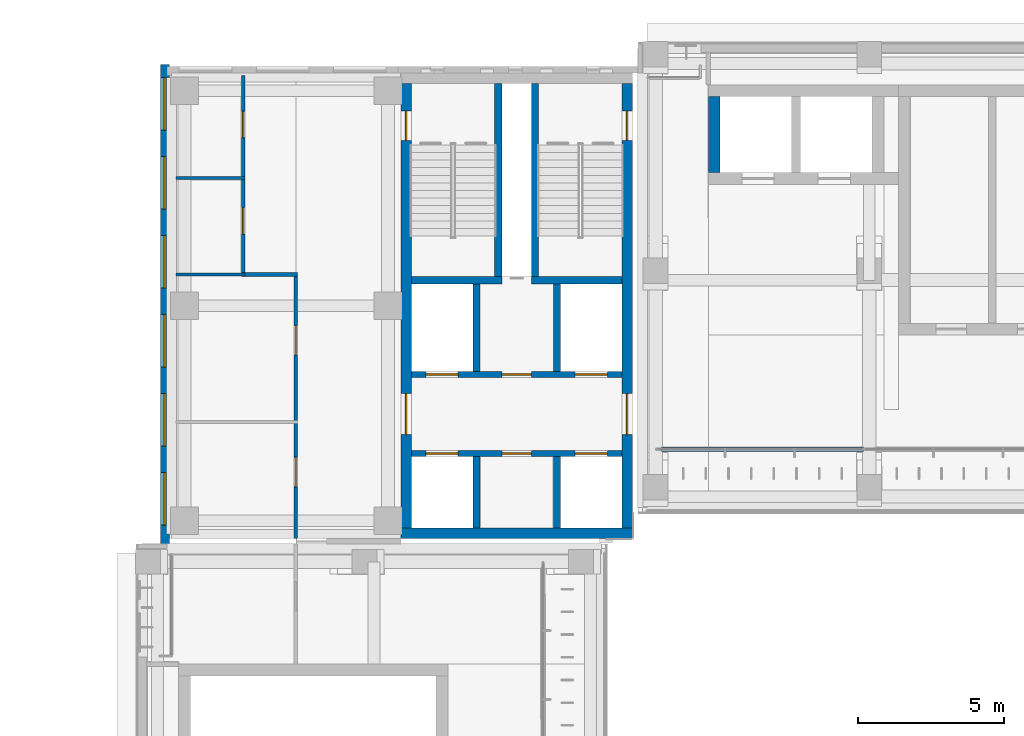
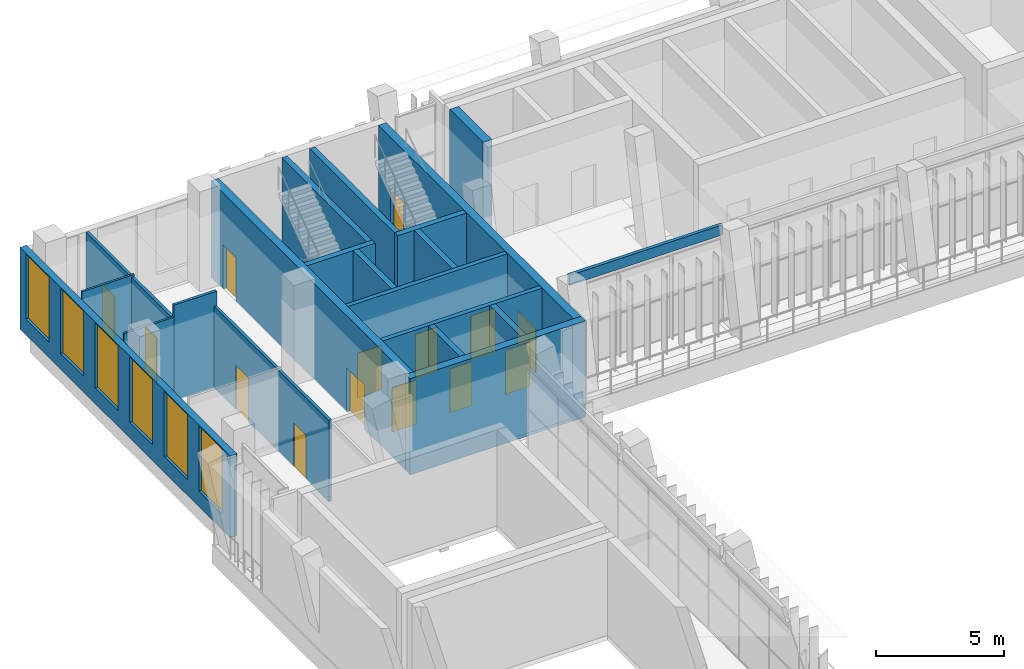
# One storey, part 65 of 92: 21 walls, 14 doors, 6 windows, 20 openings.
"""IFC4 building model written with IfcOpenShell, lengths in metres."""

import ifcopenshell
import ifcopenshell.guid

model = None  # the IFC model being written
_history = None  # IfcOwnerHistory: only IFC2X3 demands one
_inside = {}  # id of a spatial element -> (the spatial element, [elements in it])
_under = {}  # id of a project, library or spatial element -> (it, [spatial elements below it])
_declared = {}  # id of a project -> (the project, [libraries it declares])
_typed = {}  # id of a type object -> (the type object, [elements of that type])
_made_of = {}  # id of a material, layer set ... -> (it, [elements and type objects made of it])


def new_model(schema):
    """Start an empty IFC model of exactly this schema.

    Asked for "IFC4X3", IfcOpenShell would pick the latest addendum, in which some entities
    have other attributes; the version numbers below select the first issue.
    IFC2X3 requires an IfcOwnerHistory on every rooted entity: one is made here for all.
    """
    global model, _history
    if schema == "IFC4X3":
        model = ifcopenshell.file(schema_version=(4, 3, 0, 0))
    else:
        model = ifcopenshell.file(schema=schema)
    _inside.clear()
    _under.clear()
    _declared.clear()
    _typed.clear()
    _made_of.clear()
    _history = None
    if model.schema == "IFC2X3":
        org = make("IfcOrganization", Name="unknown")
        user = make(
            "IfcPersonAndOrganization",
            ThePerson=make("IfcPerson", FamilyName="unknown"),
            TheOrganization=org,
        )
        app = make(
            "IfcApplication",
            ApplicationDeveloper=org,
            Version="unknown",
            ApplicationFullName="unknown",
            ApplicationIdentifier="unknown",
        )
        _history = make(
            "IfcOwnerHistory",
            OwningUser=user,
            OwningApplication=app,
            ChangeAction="ADDED",
            CreationDate=0,
        )
    return model


def make(cls, **values):
    """One entity of the class cls with the attributes given. An attribute that is None is left unset."""
    return model.create_entity(
        cls, **{name: value for name, value in values.items() if value is not None}
    )


def rooted(cls, **values):
    """An entity with a GlobalId (a new one), such as an element, a storey or a relation."""
    return make(cls, GlobalId=ifcopenshell.guid.new(), OwnerHistory=_history, **values)


def si_unit(unit_type, name, prefix=None):
    """IfcSIUnit, for example si_unit("LENGTHUNIT", "METRE", prefix="MILLI")."""
    return make("IfcSIUnit", UnitType=unit_type, Prefix=prefix, Name=name)


def assignment(units):
    """IfcUnitAssignment: the units of a project."""
    return None if units is None else make("IfcUnitAssignment", Units=units)


def point(xyz):
    """IfcCartesianPoint."""
    return None if xyz is None else make("IfcCartesianPoint", Coordinates=xyz)


def direction(xyz):
    """IfcDirection."""
    return None if xyz is None else make("IfcDirection", DirectionRatios=xyz)


def frame(location, z_axis=None, x_axis=None):
    """IfcAxis2Placement3D, a coordinate frame: its origin and axes. An axis left out is left unset."""
    return make(
        "IfcAxis2Placement3D",
        Location=point(location),
        Axis=direction(z_axis),
        RefDirection=direction(x_axis),
    )


def frame_2d(location, x_axis=None):
    """IfcAxis2Placement2D, a coordinate frame in the plane: its origin and x axis."""
    return make(
        "IfcAxis2Placement2D", Location=point(location), RefDirection=direction(x_axis)
    )


def origin():
    """The frame at (0, 0, 0) with its axes left unset."""
    return frame((0.0, 0.0, 0.0))


def place(relative_to, where):
    """IfcLocalPlacement: puts the frame where relative to a parent placement (None: the world)."""
    return make(
        "IfcLocalPlacement", PlacementRelTo=relative_to, RelativePlacement=where
    )


def context(
    kind, dimensions, precision=None, world=None, true_north=None, identifier=None
):
    """IfcGeometricRepresentationContext, for example the 3D "Model" context."""
    return make(
        "IfcGeometricRepresentationContext",
        ContextIdentifier=identifier,
        ContextType=kind,
        CoordinateSpaceDimension=dimensions,
        Precision=precision,
        WorldCoordinateSystem=world,
        TrueNorth=true_north,
    )


def subcontext(parent, identifier, kind, view, scale=None):
    """IfcGeometricRepresentationSubContext, for example "Body" below "Model"."""
    return make(
        "IfcGeometricRepresentationSubContext",
        ContextIdentifier=identifier,
        ContextType=kind,
        ParentContext=parent,
        TargetScale=scale,
        TargetView=view,
    )


def project(units=None, contexts=None):
    """IfcProject with its units and contexts."""
    return rooted(
        "IfcProject",
        Name="project",
        RepresentationContexts=contexts,
        UnitsInContext=assignment(units),
    )


def spatial(cls, under=None, at=None, **own):
    """A site, building, storey or space (cls), placed at a placement, below another one or the project."""
    s = rooted(cls, ObjectPlacement=at, **own)
    if under is not None:
        _under.setdefault(under.id(), (under, []))[1].append(s)
    return s


def profile(cls, at=None, kind="AREA", **sizes):
    """A parametric profile (cls). Its sizes go by their IFC names, for example OverallWidth=200.0."""
    return make(cls, ProfileType=kind, Position=at, **sizes)


def rectangle(**sizes):
    """IfcRectangleProfileDef."""
    return profile("IfcRectangleProfileDef", **sizes)


def extrude(swept, where, along, depth):
    """IfcExtrudedAreaSolid: the profile swept, set in the frame where, extruded along a direction by depth."""
    return make(
        "IfcExtrudedAreaSolid",
        SweptArea=swept,
        Position=where,
        ExtrudedDirection=direction(along),
        Depth=depth,
    )


def shape(context_of_items, identifier, shape_type, items):
    """IfcShapeRepresentation: the items that make up one representation, for example the "Body"."""
    return make(
        "IfcShapeRepresentation",
        ContextOfItems=context_of_items,
        RepresentationIdentifier=identifier,
        RepresentationType=shape_type,
        Items=items,
    )


def material(Name=None, Category=None):
    """IfcMaterial."""
    return make("IfcMaterial", Name=Name, Category=Category)


def layer(
    of_material, thickness, ventilated=None, Name=None, Category=None, Priority=None
):
    """IfcMaterialLayer: one layer of a wall or slab, of a material (None: an air gap)."""
    return make(
        "IfcMaterialLayer",
        Material=of_material,
        LayerThickness=thickness,
        IsVentilated=ventilated,
        Name=Name,
        Category=Category,
        Priority=Priority,
    )


def layer_set(layers, Name=None):
    """IfcMaterialLayerSet."""
    return make("IfcMaterialLayerSet", MaterialLayers=layers, LayerSetName=Name)


def made_of(thing, what):
    """Note that an element or type object is made of a material, layer set ...; save() writes the relation."""
    if what is not None:
        _made_of.setdefault(what.id(), (what, []))[1].append(thing)
    return thing


def type_object(cls, material=None, **own):
    """A type object (cls), such as IfcWallType, which elements share."""
    return made_of(rooted(cls, **own), material)


def element(
    cls,
    number,
    at=None,
    inside=None,
    cuts=None,
    type_object=None,
    material=None,
    context=None,
    identifier="Body",
    shape_type=None,
    held_by="IfcProductDefinitionShape",
    body=None,
    shapes=None,
    **own,
):
    """One element of the class cls, such as IfcWall. Its Tag is "e" and its number.

    at: its placement. inside: the storey or other place that contains it. cuts: it is an
    opening in that element (IfcRelVoidsElement). A single representation is given by context,
    identifier, shape_type and body (its items); several are given by shapes. held_by: the class
    of the entity that holds the representations. save() writes the other relations.
    """
    e = rooted(cls, Tag="e%d" % number, ObjectPlacement=at, **own)
    if body is not None:
        shapes = [shape(context, identifier, shape_type, body)]
    if shapes is not None:
        e.Representation = make(held_by, Representations=shapes)
    if inside is not None:
        _inside.setdefault(inside.id(), (inside, []))[1].append(e)
    if cuts is not None:
        rooted(
            "IfcRelVoidsElement", RelatingBuildingElement=cuts, RelatedOpeningElement=e
        )
    if type_object is not None:
        _typed.setdefault(type_object.id(), (type_object, []))[1].append(e)
    return made_of(e, material)


def fill(opening, filler):
    """IfcRelFillsElement: the door or window that sits in an opening."""
    return rooted(
        "IfcRelFillsElement",
        RelatingOpeningElement=opening,
        RelatedBuildingElement=filler,
    )


def aggregate(whole, parts):
    """IfcRelAggregates: a whole, such as a stair, and the parts it consists of."""
    return rooted("IfcRelAggregates", RelatingObject=whole, RelatedObjects=parts)


def save(model, path):
    """Write the relations noted so far, then the file.

    IfcRelAggregates (storeys below a building ...), IfcRelContainedInSpatialStructure (elements
    in a storey), IfcRelDefinesByType, IfcRelAssociatesMaterial and IfcRelDeclares: one each for
    every whole, place, type object, material and project.
    """
    for whole, parts in _under.values():
        aggregate(whole, parts)
    for where, things in _inside.values():
        rooted(
            "IfcRelContainedInSpatialStructure",
            RelatedElements=things,
            RelatingStructure=where,
        )
    for kind, things in _typed.values():
        rooted("IfcRelDefinesByType", RelatedObjects=things, RelatingType=kind)
    for what, things in _made_of.values():
        rooted("IfcRelAssociatesMaterial", RelatedObjects=things, RelatingMaterial=what)
    for by, libraries in _declared.values():
        rooted("IfcRelDeclares", RelatingContext=by, RelatedDefinitions=libraries)
    model.write(path)


model = new_model("IFC4")

# Units and contexts
model_context = context("Model", 3, precision=1e-05, world=origin(), true_north=direction((0.0, 1.0)))
body_context = subcontext(model_context, "Body", "Model", "MODEL_VIEW")
ifc_project = project(units=[si_unit("LENGTHUNIT", "METRE"), si_unit("AREAUNIT", "SQUARE_METRE"), si_unit("VOLUMEUNIT", "CUBIC_METRE"), si_unit("PLANEANGLEUNIT", "RADIAN"), si_unit("MASSUNIT", "GRAM", prefix="KILO")], contexts=[model_context])

# Site, building, storey
site_placement = place(None, origin())
site = spatial("IfcSite", under=ifc_project, at=site_placement, CompositionType="ELEMENT")
building_placement = place(site_placement, origin())
building = spatial("IfcBuilding", under=site, at=building_placement, Name="Lantern Court Media Centre", CompositionType="ELEMENT")
storey_placement = place(building_placement, frame((0.0, 0.0, 4.800048828125)))
storey = spatial("IfcBuildingStorey", under=building, at=storey_placement, Name="L01", CompositionType="ELEMENT", Elevation=4.800048828125)

# Wall, openings, doors
ifc_material_1 = material(Name="Gypsum board partition")
ifc_layer_1 = layer(ifc_material_1, 0.125)
ifc_layer_set_1 = layer_set([ifc_layer_1], Name="Gypsum board partition")
wall_type_1 = type_object("IfcWallType", Name="Corridor partition 125", PredefinedType="PARTITIONING", material=ifc_layer_set_1)
wall_1_placement = place(storey_placement, frame((12.39990234375, 96.10009765625, 0.0), z_axis=(0.0, 0.0, 1.0), x_axis=(0.0, 1.0, 0.0)))
wall_1 = element("IfcWall", 1, at=wall_1_placement, inside=storey, type_object=wall_type_1, Name="L01 partition 026", PredefinedType="PARTITIONING", context=body_context, shape_type="SweptSolid", body=[
    extrude(rectangle(XDim=8.957763671875, YDim=0.125, at=frame_2d((4.47900390625, 0.0))), origin(), (0.0, 0.0, 1.0), 3.8798828125),
])
opening_1_placement = place(wall_1_placement, frame((6.27490234375, 0.0, 0.0)))
opening_1 = element("IfcOpeningElement", 2, at=opening_1_placement, cuts=wall_1, Name="Opening L01-029", PredefinedType="OPENING", context=body_context, shape_type="SweptSolid", body=[
    extrude(rectangle(XDim=1.0, YDim=2.10009765625, at=frame_2d((0.5, 1.050048828125))), frame((0.0, 0.072509765625, 0.0), z_axis=(0.0, -1.0, 0.0), x_axis=(1.0, 0.0, 0.0)), (0.0, 0.0, 1.0), 0.14501953125),
])
opening_2_placement = place(wall_1_placement, frame((1.764892578125, 0.0, 0.0)))
opening_2 = element("IfcOpeningElement", 3, at=opening_2_placement, cuts=wall_1, Name="Opening L01-030", PredefinedType="OPENING", context=body_context, shape_type="SweptSolid", body=[
    extrude(rectangle(XDim=1.0, YDim=2.10009765625, at=frame_2d((0.5, 1.050048828125))), frame((0.0, 0.072509765625, 0.0), z_axis=(0.0, -1.0, 0.0), x_axis=(1.0, 0.0, 0.0)), (0.0, 0.0, 1.0), 0.14501953125),
])
ifc_material_2 = material(Name="Solid-core timber door leaf", Category="wood")
door_type_1 = type_object("IfcDoorType", Name="Single door 1000x2100", OperationType="NOTDEFINED", PredefinedType="DOOR", material=ifc_material_2)
door_1_placement = place(opening_1_placement, origin())
door_1 = element("IfcDoor", 4, at=door_1_placement, inside=storey, type_object=door_type_1, Name="L01 Production Office 08 door", OperationType="SINGLE_SWING_RIGHT", OverallHeight=2.10009765625, OverallWidth=1.0, PredefinedType="DOOR", context=body_context, shape_type="SweptSolid", body=[
    extrude(rectangle(XDim=1.0, YDim=2.10009765625, at=frame_2d((0.5, 1.050048828125))), frame((0.0, 0.02490234375, 0.0), z_axis=(0.0, -1.0, 0.0), x_axis=(1.0, 0.0, 0.0)), (0.0, 0.0, 1.0), 0.050048828125),
])
fill(opening_1, door_1)
door_2_placement = place(opening_2_placement, origin())
door_2 = element("IfcDoor", 5, at=door_2_placement, inside=storey, type_object=door_type_1, Name="L01 Meeting Room 03 door", OperationType="SINGLE_SWING_LEFT", OverallHeight=2.10009765625, OverallWidth=1.0, PredefinedType="DOOR", context=body_context, shape_type="SweptSolid", body=[
    extrude(rectangle(XDim=1.0, YDim=2.10009765625, at=frame_2d((0.5, 1.050048828125))), frame((0.0, 0.02490234375, 0.0), z_axis=(0.0, -1.0, 0.0), x_axis=(1.0, 0.0, 0.0)), (0.0, 0.0, 1.0), 0.050048828125),
])
fill(opening_2, door_2)

wall_2_placement = place(storey_placement, frame((10.60009765625, 105.182861328125, 0.0), z_axis=(0.0, 0.0, 1.0), x_axis=(0.0, 1.0, 0.0)))
wall_2 = element("IfcWall", 6, at=wall_2_placement, inside=storey, type_object=wall_type_1, Name="L01 partition 044", PredefinedType="PARTITIONING", context=body_context, shape_type="SweptSolid", body=[
    extrude(rectangle(XDim=6.737060546875, YDim=0.125, at=frame_2d((3.36865234375, 0.0))), origin(), (0.0, 0.0, 1.0), 3.8798828125),
])
opening_3_placement = place(wall_2_placement, frame((4.609130859375, 0.0, 0.0)))
opening_3 = element("IfcOpeningElement", 7, at=opening_3_placement, cuts=wall_2, Name="Opening L01-031", PredefinedType="OPENING", context=body_context, shape_type="SweptSolid", body=[
    extrude(rectangle(XDim=0.89990234375, YDim=2.10009765625, at=frame_2d((0.449951171875, 1.050048828125))), frame((0.0, 0.072509765625, 0.0), z_axis=(0.0, -1.0, 0.0), x_axis=(1.0, 0.0, 0.0)), (0.0, 0.0, 1.0), 0.14501953125),
])
opening_4_placement = place(wall_2_placement, frame((1.3193359375, 0.0, 0.0)))
opening_4 = element("IfcOpeningElement", 8, at=opening_4_placement, cuts=wall_2, Name="Opening L01-032", PredefinedType="OPENING", context=body_context, shape_type="SweptSolid", body=[
    extrude(rectangle(XDim=0.89990234375, YDim=2.10009765625, at=frame_2d((0.449951171875, 1.050048828125))), frame((0.0, 0.072509765625, 0.0), z_axis=(0.0, -1.0, 0.0), x_axis=(1.0, 0.0, 0.0)), (0.0, 0.0, 1.0), 0.14501953125),
])
door_type_2 = type_object("IfcDoorType", Name="Single door 900x2100", OperationType="NOTDEFINED", PredefinedType="DOOR", material=ifc_material_2)
door_3_placement = place(opening_3_placement, origin())
door_3 = element("IfcDoor", 9, at=door_3_placement, inside=storey, type_object=door_type_2, Name="L01 WC Male door", OperationType="SINGLE_SWING_RIGHT", OverallHeight=2.10009765625, OverallWidth=0.89990234375, PredefinedType="DOOR", context=body_context, shape_type="SweptSolid", body=[
    extrude(rectangle(XDim=0.89990234375, YDim=2.10009765625, at=frame_2d((0.449951171875, 1.050048828125))), frame((0.0, 0.02490234375, 0.0), z_axis=(0.0, -1.0, 0.0), x_axis=(1.0, 0.0, 0.0)), (0.0, 0.0, 1.0), 0.050048828125),
])
fill(opening_3, door_3)
door_4_placement = place(opening_4_placement, origin())
door_4 = element("IfcDoor", 10, at=door_4_placement, inside=storey, type_object=door_type_2, Name="L01 WC Female door", OperationType="SINGLE_SWING_LEFT", OverallHeight=2.10009765625, OverallWidth=0.89990234375, PredefinedType="DOOR", context=body_context, shape_type="SweptSolid", body=[
    extrude(rectangle(XDim=0.89990234375, YDim=2.10009765625, at=frame_2d((0.449951171875, 1.050048828125))), frame((0.0, 0.02490234375, 0.0), z_axis=(0.0, -1.0, 0.0), x_axis=(1.0, 0.0, 0.0)), (0.0, 0.0, 1.0), 0.050048828125),
])
fill(opening_4, door_4)

# Wall
wall_3_placement = place(storey_placement, frame((10.53759765625, 105.1201171875, 0.0), z_axis=(0.0, 0.0, 1.0), x_axis=(1.0, 0.0, 0.0)))
element("IfcWall", 11, at=wall_3_placement, inside=storey, type_object=wall_type_1, Name="L01 partition 056", PredefinedType="PARTITIONING", context=body_context, shape_type="SweptSolid", body=[
    extrude(rectangle(XDim=1.9248046875, YDim=0.125, at=frame_2d((0.96240234375, 0.0))), origin(), (0.0, 0.0, 1.0), 4.56005859375),
])

# Wall, openings, doors
ifc_material_3 = material(Name="Concrete C40", Category="concrete")
ifc_layer_2 = layer(ifc_material_3, 0.199951171875)
ifc_layer_set_2 = layer_set([ifc_layer_2], Name="Concrete C40")
wall_type_2 = type_object("IfcWallType", Name="Fire lobby wall 200", PredefinedType="SOLIDWALL", material=ifc_layer_set_2)
wall_4_placement = place(storey_placement, frame((16.35009765625, 101.699951171875, 0.0), z_axis=(0.0, 0.0, 1.0), x_axis=(1.0, 0.0, 0.0)))
wall_4 = element("IfcWall", 12, at=wall_4_placement, inside=storey, type_object=wall_type_2, Name="L01 NW FW1", PredefinedType="SOLIDWALL", context=body_context, shape_type="SweptSolid", body=[
    extrude(rectangle(XDim=7.199951171875, YDim=0.199951171875, at=frame_2d((3.60009765625, 0.0))), origin(), (0.0, 0.0, 1.0), 4.550048828125),
])
opening_5_placement = place(wall_4_placement, frame((0.5, 0.0, 0.0)))
opening_5 = element("IfcOpeningElement", 13, at=opening_5_placement, cuts=wall_4, Name="Opening LD-NWFF-L01", PredefinedType="OPENING", context=body_context, shape_type="SweptSolid", body=[
    extrude(rectangle(XDim=1.10009765625, YDim=2.10009765625, at=frame_2d((0.550048828125, 1.050048828125))), frame((0.0, 0.10986328125, 0.0), z_axis=(0.0, -1.0, 0.0), x_axis=(1.0, 0.0, 0.0)), (0.0, 0.0, 1.0), 0.219970703125),
])
opening_6_placement = place(wall_4_placement, frame((5.60009765625, 0.0, 0.0)))
opening_6 = element("IfcOpeningElement", 14, at=opening_6_placement, cuts=wall_4, Name="Opening LD-NWP1-L01", PredefinedType="OPENING", context=body_context, shape_type="SweptSolid", body=[
    extrude(rectangle(XDim=1.10009765625, YDim=2.10009765625, at=frame_2d((0.550048828125, 1.050048828125))), frame((0.0, 0.10986328125, 0.0), z_axis=(0.0, -1.0, 0.0), x_axis=(1.0, 0.0, 0.0)), (0.0, 0.0, 1.0), 0.219970703125),
])
opening_7_placement = place(wall_4_placement, frame((3.10009765625, 0.0, 0.0)))
opening_7 = element("IfcOpeningElement", 15, at=opening_7_placement, cuts=wall_4, Name="Opening NW-L01-03", PredefinedType="OPENING", context=body_context, shape_type="SweptSolid", body=[
    extrude(rectangle(XDim=1.0, YDim=2.10009765625, at=frame_2d((0.5, 1.050048828125))), frame((0.0, 0.10986328125, 0.0), z_axis=(0.0, -1.0, 0.0), x_axis=(1.0, 0.0, 0.0)), (0.0, 0.0, 1.0), 0.219970703125),
])
ifc_material_4 = material(Name="Steel door leaf", Category="steel")
door_type_3 = type_object("IfcDoorType", Name="Lift landing door 1100x2100", OperationType="DOUBLE_DOOR_SLIDING", PredefinedType="DOOR", material=ifc_material_4)
door_5_placement = place(opening_5_placement, frame((1.10009765625, 0.0, 0.0), z_axis=(0.0, 0.0, 1.0), x_axis=(-1.0, 0.0, 0.0)))
door_5 = element("IfcDoor", 16, at=door_5_placement, inside=storey, type_object=door_type_3, Name="L01 NW lift FF landing door", OperationType="DOUBLE_DOOR_SLIDING", OverallHeight=2.10009765625, OverallWidth=1.10009765625, PredefinedType="DOOR", context=body_context, shape_type="SweptSolid", body=[
    extrude(rectangle(XDim=1.10009765625, YDim=2.10009765625, at=frame_2d((0.550048828125, 1.050048828125))), frame((0.0, 0.02490234375, 0.0), z_axis=(0.0, -1.0, 0.0), x_axis=(1.0, 0.0, 0.0)), (0.0, 0.0, 1.0), 0.050048828125),
])
fill(opening_5, door_5)
door_6_placement = place(opening_6_placement, frame((1.10009765625, 0.0, 0.0), z_axis=(0.0, 0.0, 1.0), x_axis=(-1.0, 0.0, 0.0)))
door_6 = element("IfcDoor", 17, at=door_6_placement, inside=storey, type_object=door_type_3, Name="L01 NW lift P1 landing door", OperationType="DOUBLE_DOOR_SLIDING", OverallHeight=2.10009765625, OverallWidth=1.10009765625, PredefinedType="DOOR", context=body_context, shape_type="SweptSolid", body=[
    extrude(rectangle(XDim=1.10009765625, YDim=2.10009765625, at=frame_2d((0.550048828125, 1.050048828125))), frame((0.0, 0.02490234375, 0.0), z_axis=(0.0, -1.0, 0.0), x_axis=(1.0, 0.0, 0.0)), (0.0, 0.0, 1.0), 0.050048828125),
])
fill(opening_6, door_6)
door_type_4 = type_object("IfcDoorType", Name="Service door 1000x2100", OperationType="NOTDEFINED", PredefinedType="DOOR", material=ifc_material_4)
door_7_placement = place(opening_7_placement, frame((1.0, 0.0, 0.0), z_axis=(0.0, 0.0, 1.0), x_axis=(-1.0, 0.0, 0.0)))
door_7 = element("IfcDoor", 18, at=door_7_placement, inside=storey, type_object=door_type_4, Name="L01 NW services riser door", OperationType="SINGLE_SWING_LEFT", OverallHeight=2.10009765625, OverallWidth=1.0, PredefinedType="DOOR", context=body_context, shape_type="SweptSolid", body=[
    extrude(rectangle(XDim=1.0, YDim=2.10009765625, at=frame_2d((0.5, 1.050048828125))), frame((0.0, 0.02490234375, 0.0), z_axis=(0.0, -1.0, 0.0), x_axis=(1.0, 0.0, 0.0)), (0.0, 0.0, 1.0), 0.050048828125),
])
fill(opening_7, door_7)

wall_5_placement = place(storey_placement, frame((16.35009765625, 99.0, 0.0), z_axis=(0.0, 0.0, 1.0), x_axis=(1.0, 0.0, 0.0)))
wall_5 = element("IfcWall", 19, at=wall_5_placement, inside=storey, type_object=wall_type_2, Name="L01 NW FW2", PredefinedType="SOLIDWALL", context=body_context, shape_type="SweptSolid", body=[
    extrude(rectangle(XDim=7.199951171875, YDim=0.199951171875, at=frame_2d((3.60009765625, 0.0))), origin(), (0.0, 0.0, 1.0), 4.550048828125),
])
opening_8_placement = place(wall_5_placement, frame((0.5, 0.0, 0.0)))
opening_8 = element("IfcOpeningElement", 20, at=opening_8_placement, cuts=wall_5, Name="Opening LD-NWP2-L01", PredefinedType="OPENING", context=body_context, shape_type="SweptSolid", body=[
    extrude(rectangle(XDim=1.10009765625, YDim=2.10009765625, at=frame_2d((0.550048828125, 1.050048828125))), frame((0.0, 0.10986328125, 0.0), z_axis=(0.0, -1.0, 0.0), x_axis=(1.0, 0.0, 0.0)), (0.0, 0.0, 1.0), 0.219970703125),
])
opening_9_placement = place(wall_5_placement, frame((5.60009765625, 0.0, 0.0)))
opening_9 = element("IfcOpeningElement", 21, at=opening_9_placement, cuts=wall_5, Name="Opening LD-NWP3-L01", PredefinedType="OPENING", context=body_context, shape_type="SweptSolid", body=[
    extrude(rectangle(XDim=1.10009765625, YDim=2.10009765625, at=frame_2d((0.550048828125, 1.050048828125))), frame((0.0, 0.10986328125, 0.0), z_axis=(0.0, -1.0, 0.0), x_axis=(1.0, 0.0, 0.0)), (0.0, 0.0, 1.0), 0.219970703125),
])
opening_10_placement = place(wall_5_placement, frame((3.10009765625, 0.0, 0.0)))
opening_10 = element("IfcOpeningElement", 22, at=opening_10_placement, cuts=wall_5, Name="Opening NW-L01-04", PredefinedType="OPENING", context=body_context, shape_type="SweptSolid", body=[
    extrude(rectangle(XDim=1.0, YDim=2.10009765625, at=frame_2d((0.5, 1.050048828125))), frame((0.0, 0.10986328125, 0.0), z_axis=(0.0, -1.0, 0.0), x_axis=(1.0, 0.0, 0.0)), (0.0, 0.0, 1.0), 0.219970703125),
])
door_8_placement = place(opening_8_placement, origin())
door_8 = element("IfcDoor", 23, at=door_8_placement, inside=storey, type_object=door_type_3, Name="L01 NW lift P2 landing door", OperationType="DOUBLE_DOOR_SLIDING", OverallHeight=2.10009765625, OverallWidth=1.10009765625, PredefinedType="DOOR", context=body_context, shape_type="SweptSolid", body=[
    extrude(rectangle(XDim=1.10009765625, YDim=2.10009765625, at=frame_2d((0.550048828125, 1.050048828125))), frame((0.0, 0.02490234375, 0.0), z_axis=(0.0, -1.0, 0.0), x_axis=(1.0, 0.0, 0.0)), (0.0, 0.0, 1.0), 0.050048828125),
])
fill(opening_8, door_8)
door_9_placement = place(opening_9_placement, origin())
door_9 = element("IfcDoor", 24, at=door_9_placement, inside=storey, type_object=door_type_3, Name="L01 NW lift P3 landing door", OperationType="DOUBLE_DOOR_SLIDING", OverallHeight=2.10009765625, OverallWidth=1.10009765625, PredefinedType="DOOR", context=body_context, shape_type="SweptSolid", body=[
    extrude(rectangle(XDim=1.10009765625, YDim=2.10009765625, at=frame_2d((0.550048828125, 1.050048828125))), frame((0.0, 0.02490234375, 0.0), z_axis=(0.0, -1.0, 0.0), x_axis=(1.0, 0.0, 0.0)), (0.0, 0.0, 1.0), 0.050048828125),
])
fill(opening_9, door_9)
door_10_placement = place(opening_10_placement, origin())
door_10 = element("IfcDoor", 25, at=door_10_placement, inside=storey, type_object=door_type_4, Name="L01 NW accessible WC door", OperationType="SINGLE_SWING_RIGHT", OverallHeight=2.10009765625, OverallWidth=1.0, PredefinedType="DOOR", context=body_context, shape_type="SweptSolid", body=[
    extrude(rectangle(XDim=1.0, YDim=2.10009765625, at=frame_2d((0.5, 1.050048828125))), frame((0.0, 0.02490234375, 0.0), z_axis=(0.0, -1.0, 0.0), x_axis=(1.0, 0.0, 0.0)), (0.0, 0.0, 1.0), 0.050048828125),
])
fill(opening_10, door_10)

# Wall
ifc_material_5 = material(Name="Insulated rendered blockwork", Category="masonry")
ifc_layer_3 = layer(ifc_material_5, 0.14990234375)
ifc_layer_set_3 = layer_set([ifc_layer_3], Name="Insulated rendered blockwork")
wall_type_3 = type_object("IfcWallType", Name="Head infill wall 150", PredefinedType="SOLIDWALL", material=ifc_layer_set_3)
wall_6_placement = place(storey_placement, frame((24.89990234375, 99.14990234375, 4.099853515625), z_axis=(0.0, 0.0, 1.0), x_axis=(1.0, 0.0, 0.0)))
element("IfcWall", 26, at=wall_6_placement, inside=storey, type_object=wall_type_3, Name="Head infill wall N inner L01", PredefinedType="SOLIDWALL", context=body_context, shape_type="SweptSolid", body=[
    extrude(rectangle(XDim=6.900146484375, YDim=0.14990234375, at=frame_2d((3.4501953125, 0.0))), origin(), (0.0, 0.0, 1.0), 0.47998046875),
])

# Wall, openings, windows
ifc_material_6 = material(Name="Honed limestone cladding on blockwork", Category="masonry")
ifc_layer_4 = layer(ifc_material_6, 0.300048828125)
ifc_layer_set_4 = layer_set([ifc_layer_4], Name="Honed limestone cladding on blockwork")
wall_type_4 = type_object("IfcWallType", Name="Limestone block wall 300", PredefinedType="SOLIDWALL", material=ifc_layer_set_4)
wall_7_placement = place(storey_placement, frame((7.929931640625, 95.89990234375, 0.0), z_axis=(0.0, 0.0, 1.0), x_axis=(0.0, 1.0, 0.0)))
wall_7 = element("IfcWall", 27, at=wall_7_placement, inside=storey, type_object=wall_type_4, Name="Limestone wall NW W L01", PredefinedType="SOLIDWALL", context=body_context, shape_type="SweptSolid", body=[
    extrude(rectangle(XDim=16.400146484375, YDim=0.300048828125, at=frame_2d((8.2001953125, 0.0))), origin(), (0.0, 0.0, 1.0), 3.89990234375),
])
opening_11_placement = place(wall_7_placement, frame((0.64990234375, 0.0, 0.75)))
opening_11 = element("IfcOpeningElement", 28, at=opening_11_placement, cuts=wall_7, Name="Opening WN-F", PredefinedType="OPENING", context=body_context, shape_type="SweptSolid", body=[
    extrude(rectangle(XDim=1.800048828125, YDim=3.10009765625, at=frame_2d((0.89990234375, 1.550048828125))), frame((0.0, 0.159912109375, 0.0), z_axis=(0.0, -1.0, 0.0), x_axis=(1.0, 0.0, 0.0)), (0.0, 0.0, 1.0), 0.320068359375),
])
opening_12_placement = place(wall_7_placement, frame((3.35009765625, 0.0, 0.75)))
opening_12 = element("IfcOpeningElement", 29, at=opening_12_placement, cuts=wall_7, Name="Opening WN-F", PredefinedType="OPENING", context=body_context, shape_type="SweptSolid", body=[
    extrude(rectangle(XDim=1.800048828125, YDim=3.10009765625, at=frame_2d((0.89990234375, 1.550048828125))), frame((0.0, 0.159912109375, 0.0), z_axis=(0.0, -1.0, 0.0), x_axis=(1.0, 0.0, 0.0)), (0.0, 0.0, 1.0), 0.320068359375),
])
opening_13_placement = place(wall_7_placement, frame((6.050048828125, 0.0, 0.75)))
opening_13 = element("IfcOpeningElement", 30, at=opening_13_placement, cuts=wall_7, Name="Opening WN-F", PredefinedType="OPENING", context=body_context, shape_type="SweptSolid", body=[
    extrude(rectangle(XDim=1.800048828125, YDim=3.10009765625, at=frame_2d((0.89990234375, 1.550048828125))), frame((0.0, 0.159912109375, 0.0), z_axis=(0.0, -1.0, 0.0), x_axis=(1.0, 0.0, 0.0)), (0.0, 0.0, 1.0), 0.320068359375),
])
opening_14_placement = place(wall_7_placement, frame((8.75, 0.0, 0.75)))
opening_14 = element("IfcOpeningElement", 31, at=opening_14_placement, cuts=wall_7, Name="Opening WN-F", PredefinedType="OPENING", context=body_context, shape_type="SweptSolid", body=[
    extrude(rectangle(XDim=1.800048828125, YDim=3.10009765625, at=frame_2d((0.89990234375, 1.550048828125))), frame((0.0, 0.159912109375, 0.0), z_axis=(0.0, -1.0, 0.0), x_axis=(1.0, 0.0, 0.0)), (0.0, 0.0, 1.0), 0.320068359375),
])
opening_15_placement = place(wall_7_placement, frame((11.449951171875, 0.0, 0.75)))
opening_15 = element("IfcOpeningElement", 32, at=opening_15_placement, cuts=wall_7, Name="Opening WN-F", PredefinedType="OPENING", context=body_context, shape_type="SweptSolid", body=[
    extrude(rectangle(XDim=1.800048828125, YDim=3.10009765625, at=frame_2d((0.89990234375, 1.550048828125))), frame((0.0, 0.159912109375, 0.0), z_axis=(0.0, -1.0, 0.0), x_axis=(1.0, 0.0, 0.0)), (0.0, 0.0, 1.0), 0.320068359375),
])
opening_16_placement = place(wall_7_placement, frame((14.14990234375, 0.0, 0.75)))
opening_16 = element("IfcOpeningElement", 33, at=opening_16_placement, cuts=wall_7, Name="Opening WN-F", PredefinedType="OPENING", context=body_context, shape_type="SweptSolid", body=[
    extrude(rectangle(XDim=1.800048828125, YDim=3.10009765625, at=frame_2d((0.89990234375, 1.550048828125))), frame((0.0, 0.159912109375, 0.0), z_axis=(0.0, -1.0, 0.0), x_axis=(1.0, 0.0, 0.0)), (0.0, 0.0, 1.0), 0.320068359375),
])
ifc_material_7 = material(Name="Anodised aluminium and glass", Category="aluminium")
window_type = type_object("IfcWindowType", Name="Foyer window 1800x3100", PartitioningType="SINGLE_PANEL", PredefinedType="WINDOW", material=ifc_material_7)
window_1_placement = place(opening_11_placement, origin())
window_1 = element("IfcWindow", 34, at=window_1_placement, inside=storey, type_object=window_type, Name="Window NW W L01", OverallHeight=3.10009765625, OverallWidth=1.800048828125, PartitioningType="SINGLE_PANEL", PredefinedType="WINDOW", context=body_context, shape_type="SweptSolid", body=[
    extrude(rectangle(XDim=1.800048828125, YDim=3.10009765625, at=frame_2d((0.89990234375, 1.550048828125))), frame((0.0, 0.030029296875, 0.0), z_axis=(0.0, -1.0, 0.0), x_axis=(1.0, 0.0, 0.0)), (0.0, 0.0, 1.0), 0.06005859375),
])
fill(opening_11, window_1)
window_2_placement = place(opening_12_placement, origin())
window_2 = element("IfcWindow", 35, at=window_2_placement, inside=storey, type_object=window_type, Name="Window NW W L01", OverallHeight=3.10009765625, OverallWidth=1.800048828125, PartitioningType="SINGLE_PANEL", PredefinedType="WINDOW", context=body_context, shape_type="SweptSolid", body=[
    extrude(rectangle(XDim=1.800048828125, YDim=3.10009765625, at=frame_2d((0.89990234375, 1.550048828125))), frame((0.0, 0.030029296875, 0.0), z_axis=(0.0, -1.0, 0.0), x_axis=(1.0, 0.0, 0.0)), (0.0, 0.0, 1.0), 0.06005859375),
])
fill(opening_12, window_2)
window_3_placement = place(opening_13_placement, origin())
window_3 = element("IfcWindow", 36, at=window_3_placement, inside=storey, type_object=window_type, Name="Window NW W L01", OverallHeight=3.10009765625, OverallWidth=1.800048828125, PartitioningType="SINGLE_PANEL", PredefinedType="WINDOW", context=body_context, shape_type="SweptSolid", body=[
    extrude(rectangle(XDim=1.800048828125, YDim=3.10009765625, at=frame_2d((0.89990234375, 1.550048828125))), frame((0.0, 0.030029296875, 0.0), z_axis=(0.0, -1.0, 0.0), x_axis=(1.0, 0.0, 0.0)), (0.0, 0.0, 1.0), 0.06005859375),
])
fill(opening_13, window_3)
window_4_placement = place(opening_14_placement, origin())
window_4 = element("IfcWindow", 37, at=window_4_placement, inside=storey, type_object=window_type, Name="Window NW W L01", OverallHeight=3.10009765625, OverallWidth=1.800048828125, PartitioningType="SINGLE_PANEL", PredefinedType="WINDOW", context=body_context, shape_type="SweptSolid", body=[
    extrude(rectangle(XDim=1.800048828125, YDim=3.10009765625, at=frame_2d((0.89990234375, 1.550048828125))), frame((0.0, 0.030029296875, 0.0), z_axis=(0.0, -1.0, 0.0), x_axis=(1.0, 0.0, 0.0)), (0.0, 0.0, 1.0), 0.06005859375),
])
fill(opening_14, window_4)
window_5_placement = place(opening_15_placement, origin())
window_5 = element("IfcWindow", 38, at=window_5_placement, inside=storey, type_object=window_type, Name="Window NW W L01", OverallHeight=3.10009765625, OverallWidth=1.800048828125, PartitioningType="SINGLE_PANEL", PredefinedType="WINDOW", context=body_context, shape_type="SweptSolid", body=[
    extrude(rectangle(XDim=1.800048828125, YDim=3.10009765625, at=frame_2d((0.89990234375, 1.550048828125))), frame((0.0, 0.030029296875, 0.0), z_axis=(0.0, -1.0, 0.0), x_axis=(1.0, 0.0, 0.0)), (0.0, 0.0, 1.0), 0.06005859375),
])
fill(opening_15, window_5)
window_6_placement = place(opening_16_placement, origin())
window_6 = element("IfcWindow", 39, at=window_6_placement, inside=storey, type_object=window_type, Name="Window NW W L01", OverallHeight=3.10009765625, OverallWidth=1.800048828125, PartitioningType="SINGLE_PANEL", PredefinedType="WINDOW", context=body_context, shape_type="SweptSolid", body=[
    extrude(rectangle(XDim=1.800048828125, YDim=3.10009765625, at=frame_2d((0.89990234375, 1.550048828125))), frame((0.0, 0.030029296875, 0.0), z_axis=(0.0, -1.0, 0.0), x_axis=(1.0, 0.0, 0.0)), (0.0, 0.0, 1.0), 0.06005859375),
])
fill(opening_16, window_6)

# Walls
ifc_layer_5 = layer(ifc_material_1, 0.10009765625)
ifc_layer_set_5 = layer_set([ifc_layer_5], Name="Gypsum board partition")
wall_type_5 = type_object("IfcWallType", Name="Partition 100", PredefinedType="PARTITIONING", material=ifc_layer_set_5)
for number, where, z_axis, x_axis, name in (
    (40, (8.300048828125, 105.1201171875, 0.0), (0.0, 0.0, 1.0), (1.0, 0.0, 0.0), "L01 partition 055"),
    (41, (8.300048828125, 108.409912109375, 0.0), (0.0, 0.0, 1.0), (1.0, 0.0, 0.0), "L01 partition 057"),
):
    element("IfcWall", number, at=place(storey_placement, frame(where, z_axis=z_axis, x_axis=x_axis)), inside=storey, type_object=wall_type_5, Name=name, PredefinedType="PARTITIONING", context=body_context, shape_type="SweptSolid", body=[
        extrude(rectangle(XDim=2.362548828125, YDim=0.10009765625, at=frame_2d((1.18115234375, 0.0))), origin(), (0.0, 0.0, 1.0), 3.97998046875),
    ])
ifc_layer_6 = layer(ifc_material_3, 0.35009765625)
ifc_layer_set_6 = layer_set([ifc_layer_6], Name="Concrete C40")
wall_type_6 = type_object("IfcWallType", Name="RC CORE WALL 350", PredefinedType="SHEAR", material=ifc_layer_set_6)
wall_8_placement = place(storey_placement, frame((16.0, 96.27490234375, 0.0), z_axis=(0.0, 0.0, 1.0), x_axis=(1.0, 0.0, 0.0)))
element("IfcWall", 42, at=wall_8_placement, inside=storey, type_object=wall_type_6, Name="WC-NW-L01-S", PredefinedType="SHEAR", context=body_context, shape_type="SweptSolid", body=[
    extrude(rectangle(XDim=7.89990234375, YDim=0.35009765625, at=frame_2d((3.949951171875, 0.0))), origin(), (0.0, 0.0, 1.0), 4.579833984375),
])

# Wall, openings, doors
wall_9_placement = place(storey_placement, frame((16.175048828125, 96.449951171875, 0.0), z_axis=(0.0, 0.0, 1.0), x_axis=(0.0, 1.0, 0.0)))
wall_9 = element("IfcWall", 43, at=wall_9_placement, inside=storey, type_object=wall_type_6, Name="WC-NW-L01-W", PredefinedType="SHEAR", context=body_context, shape_type="SweptSolid", body=[
    extrude(rectangle(XDim=15.199951171875, YDim=0.35009765625, at=frame_2d((7.60009765625, 0.0))), origin(), (0.0, 0.0, 1.0), 4.579833984375),
])
opening_17_placement = place(wall_9_placement, frame((13.25, 0.0, 0.0)))
opening_17 = element("IfcOpeningElement", 44, at=opening_17_placement, cuts=wall_9, Name="Opening NW-L01-01", PredefinedType="OPENING", context=body_context, shape_type="SweptSolid", body=[
    extrude(rectangle(XDim=1.0, YDim=2.10009765625, at=frame_2d((0.5, 1.050048828125))), frame((0.0, 0.18505859375, 0.0), z_axis=(0.0, -1.0, 0.0), x_axis=(1.0, 0.0, 0.0)), (0.0, 0.0, 1.0), 0.3701171875),
])
opening_18_placement = place(wall_9_placement, frame((3.199951171875, 0.0, 0.0)))
opening_18 = element("IfcOpeningElement", 45, at=opening_18_placement, cuts=wall_9, Name="Opening NW-L01-05", PredefinedType="OPENING", context=body_context, shape_type="SweptSolid", body=[
    extrude(rectangle(XDim=1.39990234375, YDim=2.10009765625, at=frame_2d((0.699951171875, 1.050048828125))), frame((0.0, 0.18505859375, 0.0), z_axis=(0.0, -1.0, 0.0), x_axis=(1.0, 0.0, 0.0)), (0.0, 0.0, 1.0), 0.3701171875),
])
door_type_5 = type_object("IfcDoorType", Name="Lift lobby double door 1400x2100", OperationType="NOTDEFINED", PredefinedType="DOOR", material=ifc_material_4)
door_11_placement = place(opening_18_placement, origin())
door_11 = element("IfcDoor", 46, at=door_11_placement, inside=storey, type_object=door_type_5, Name="L01 NW lift lobby west door", OperationType="SINGLE_SWING_LEFT", OverallHeight=2.10009765625, OverallWidth=1.39990234375, PredefinedType="DOOR", context=body_context, shape_type="SweptSolid", body=[
    extrude(rectangle(XDim=1.39990234375, YDim=2.10009765625, at=frame_2d((0.699951171875, 1.050048828125))), frame((0.0, 0.02490234375, 0.0), z_axis=(0.0, -1.0, 0.0), x_axis=(1.0, 0.0, 0.0)), (0.0, 0.0, 1.0), 0.050048828125),
])
fill(opening_18, door_11)
door_type_6 = type_object("IfcDoorType", Name="Stair door 1000x2100", OperationType="NOTDEFINED", PredefinedType="DOOR", material=ifc_material_4)
door_12_placement = place(opening_17_placement, origin())
door_12 = element("IfcDoor", 47, at=door_12_placement, inside=storey, type_object=door_type_6, Name="L01 NW stair A door", OperationType="SINGLE_SWING_LEFT", OverallHeight=2.10009765625, OverallWidth=1.0, PredefinedType="DOOR", context=body_context, shape_type="SweptSolid", body=[
    extrude(rectangle(XDim=1.0, YDim=2.10009765625, at=frame_2d((0.5, 1.050048828125))), frame((0.0, 0.02490234375, 0.0), z_axis=(0.0, -1.0, 0.0), x_axis=(1.0, 0.0, 0.0)), (0.0, 0.0, 1.0), 0.050048828125),
])
fill(opening_17, door_12)

wall_10_placement = place(storey_placement, frame((23.72509765625, 96.449951171875, 0.0), z_axis=(0.0, 0.0, 1.0), x_axis=(0.0, 1.0, 0.0)))
wall_10 = element("IfcWall", 48, at=wall_10_placement, inside=storey, type_object=wall_type_6, Name="WC-NW-L01-E", PredefinedType="SHEAR", context=body_context, shape_type="SweptSolid", body=[
    extrude(rectangle(XDim=15.199951171875, YDim=0.35009765625, at=frame_2d((7.60009765625, 0.0))), origin(), (0.0, 0.0, 1.0), 4.579833984375),
])
opening_19_placement = place(wall_10_placement, frame((13.25, 0.0, 0.0)))
opening_19 = element("IfcOpeningElement", 49, at=opening_19_placement, cuts=wall_10, Name="Opening NW-L01-02", PredefinedType="OPENING", context=body_context, shape_type="SweptSolid", body=[
    extrude(rectangle(XDim=1.0, YDim=2.10009765625, at=frame_2d((0.5, 1.050048828125))), frame((0.0, 0.18505859375, 0.0), z_axis=(0.0, -1.0, 0.0), x_axis=(1.0, 0.0, 0.0)), (0.0, 0.0, 1.0), 0.3701171875),
])
opening_20_placement = place(wall_10_placement, frame((3.199951171875, 0.0, 0.0)))
opening_20 = element("IfcOpeningElement", 50, at=opening_20_placement, cuts=wall_10, Name="Opening NW-L01-06", PredefinedType="OPENING", context=body_context, shape_type="SweptSolid", body=[
    extrude(rectangle(XDim=1.39990234375, YDim=2.10009765625, at=frame_2d((0.699951171875, 1.050048828125))), frame((0.0, 0.18505859375, 0.0), z_axis=(0.0, -1.0, 0.0), x_axis=(1.0, 0.0, 0.0)), (0.0, 0.0, 1.0), 0.3701171875),
])
door_13_placement = place(opening_20_placement, frame((1.39990234375, 0.0, 0.0), z_axis=(0.0, 0.0, 1.0), x_axis=(-1.0, 0.0, 0.0)))
door_13 = element("IfcDoor", 51, at=door_13_placement, inside=storey, type_object=door_type_5, Name="L01 NW lift lobby east door", OperationType="SINGLE_SWING_LEFT", OverallHeight=2.10009765625, OverallWidth=1.39990234375, PredefinedType="DOOR", context=body_context, shape_type="SweptSolid", body=[
    extrude(rectangle(XDim=1.39990234375, YDim=2.10009765625, at=frame_2d((0.699951171875, 1.050048828125))), frame((0.0, 0.02490234375, 0.0), z_axis=(0.0, -1.0, 0.0), x_axis=(1.0, 0.0, 0.0)), (0.0, 0.0, 1.0), 0.050048828125),
])
fill(opening_20, door_13)
door_14_placement = place(opening_19_placement, frame((1.0, 0.0, 0.0), z_axis=(0.0, 0.0, 1.0), x_axis=(-1.0, 0.0, 0.0)))
door_14 = element("IfcDoor", 52, at=door_14_placement, inside=storey, type_object=door_type_6, Name="L01 NW stair B door", OperationType="SINGLE_SWING_LEFT", OverallHeight=2.10009765625, OverallWidth=1.0, PredefinedType="DOOR", context=body_context, shape_type="SweptSolid", body=[
    extrude(rectangle(XDim=1.0, YDim=2.10009765625, at=frame_2d((0.5, 1.050048828125))), frame((0.0, 0.02490234375, 0.0), z_axis=(0.0, -1.0, 0.0), x_axis=(1.0, 0.0, 0.0)), (0.0, 0.0, 1.0), 0.050048828125),
])
fill(opening_19, door_14)

# Walls
ifc_layer_7 = layer(ifc_material_3, 0.39990234375)
ifc_layer_set_7 = layer_set([ifc_layer_7], Name="Concrete C40")
wall_type_7 = type_object("IfcWallType", Name="RC SHEAR WALL 400", PredefinedType="SHEAR", material=ifc_layer_set_7)
wall_11_placement = place(storey_placement, frame((26.699951171875, 108.60009765625, 0.0), z_axis=(0.0, 0.0, 1.0), x_axis=(0.0, 1.0, 0.0)))
element("IfcWall", 53, at=wall_11_placement, inside=storey, type_object=wall_type_7, Name="WB-N-LC-L01-W", PredefinedType="SHEAR", context=body_context, shape_type="SweptSolid", body=[
    extrude(rectangle(XDim=2.599853515625, YDim=0.39990234375, at=frame_2d((1.2998046875, 0.0))), origin(), (0.0, 0.0, 1.0), 4.579833984375),
])
ifc_layer_8 = layer(ifc_material_3, 0.25)
ifc_layer_set_8 = layer_set([ifc_layer_8], Name="Concrete C40")
wall_type_8 = type_object("IfcWallType", Name="RC lift shaft wall 250", PredefinedType="SOLIDWALL", material=ifc_layer_set_8)
wall_12_placement = place(storey_placement, frame((18.574951171875, 104.800048828125, 0.0), z_axis=(0.0, 0.0, 1.0), x_axis=(0.0, -1.0, 0.0)))
element("IfcWall", 54, at=wall_12_placement, inside=storey, type_object=wall_type_8, Name="L01 NW L1a", PredefinedType="SOLIDWALL", context=body_context, shape_type="SweptSolid", body=[
    extrude(rectangle(XDim=3.0, YDim=0.25, at=frame_2d((1.5, 0.0))), origin(), (0.0, 0.0, 1.0), 4.550048828125),
])
wall_13_placement = place(storey_placement, frame((18.574951171875, 98.89990234375, 0.0), z_axis=(0.0, 0.0, 1.0), x_axis=(0.0, -1.0, 0.0)))
element("IfcWall", 55, at=wall_13_placement, inside=storey, type_object=wall_type_8, Name="L01 NW L1b", PredefinedType="SOLIDWALL", context=body_context, shape_type="SweptSolid", body=[
    extrude(rectangle(XDim=2.449951171875, YDim=0.25, at=frame_2d((1.22509765625, 0.0))), origin(), (0.0, 0.0, 1.0), 4.550048828125),
])
wall_14_placement = place(storey_placement, frame((21.324951171875, 104.800048828125, 0.0), z_axis=(0.0, 0.0, 1.0), x_axis=(0.0, -1.0, 0.0)))
element("IfcWall", 56, at=wall_14_placement, inside=storey, type_object=wall_type_8, Name="L01 NW L2a", PredefinedType="SOLIDWALL", context=body_context, shape_type="SweptSolid", body=[
    extrude(rectangle(XDim=3.0, YDim=0.25, at=frame_2d((1.5, 0.0))), origin(), (0.0, 0.0, 1.0), 4.550048828125),
])
wall_15_placement = place(storey_placement, frame((21.324951171875, 98.89990234375, 0.0), z_axis=(0.0, 0.0, 1.0), x_axis=(0.0, -1.0, 0.0)))
element("IfcWall", 57, at=wall_15_placement, inside=storey, type_object=wall_type_8, Name="L01 NW L2b", PredefinedType="SOLIDWALL", context=body_context, shape_type="SweptSolid", body=[
    extrude(rectangle(XDim=2.449951171875, YDim=0.25, at=frame_2d((1.22509765625, 0.0))), origin(), (0.0, 0.0, 1.0), 4.550048828125),
])
ifc_layer_9 = layer(ifc_material_3, 0.25)
ifc_layer_set_9 = layer_set([ifc_layer_9], Name="Concrete C40")
wall_type_9 = type_object("IfcWallType", Name="RC stair shaft wall 250", PredefinedType="SOLIDWALL", material=ifc_layer_set_9)
for number, where, z_axis, x_axis, name in (
    (58, (19.324951171875, 111.64990234375, 0.0), (0.0, 0.0, 1.0), (0.0, -1.0, 0.0), "L01 NW SA"),
    (59, (20.574951171875, 111.64990234375, 0.0), (0.0, 0.0, 1.0), (0.0, -1.0, 0.0), "L01 NW SB"),
):
    element("IfcWall", number, at=place(storey_placement, frame(where, z_axis=z_axis, x_axis=x_axis)), inside=storey, type_object=wall_type_9, Name=name, PredefinedType="SOLIDWALL", context=body_context, shape_type="SweptSolid", body=[
        extrude(rectangle(XDim=6.599853515625, YDim=0.25, at=frame_2d((3.2998046875, 0.0))), origin(), (0.0, 0.0, 1.0), 4.550048828125),
    ])
wall_16_placement = place(storey_placement, frame((16.35009765625, 104.925048828125, 0.0), z_axis=(0.0, 0.0, 1.0), x_axis=(1.0, 0.0, 0.0)))
element("IfcWall", 60, at=wall_16_placement, inside=storey, type_object=wall_type_9, Name="L01 NW SN1", PredefinedType="SOLIDWALL", context=body_context, shape_type="SweptSolid", body=[
    extrude(rectangle(XDim=3.099853515625, YDim=0.25, at=frame_2d((1.5498046875, 0.0))), origin(), (0.0, 0.0, 1.0), 4.550048828125),
])
wall_17_placement = place(storey_placement, frame((20.449951171875, 104.925048828125, 0.0), z_axis=(0.0, 0.0, 1.0), x_axis=(1.0, 0.0, 0.0)))
element("IfcWall", 61, at=wall_17_placement, inside=storey, type_object=wall_type_9, Name="L01 NW SN2", PredefinedType="SOLIDWALL", context=body_context, shape_type="SweptSolid", body=[
    extrude(rectangle(XDim=3.10009765625, YDim=0.25, at=frame_2d((1.550048828125, 0.0))), origin(), (0.0, 0.0, 1.0), 4.550048828125),
])

save(model, "model.ifc")
